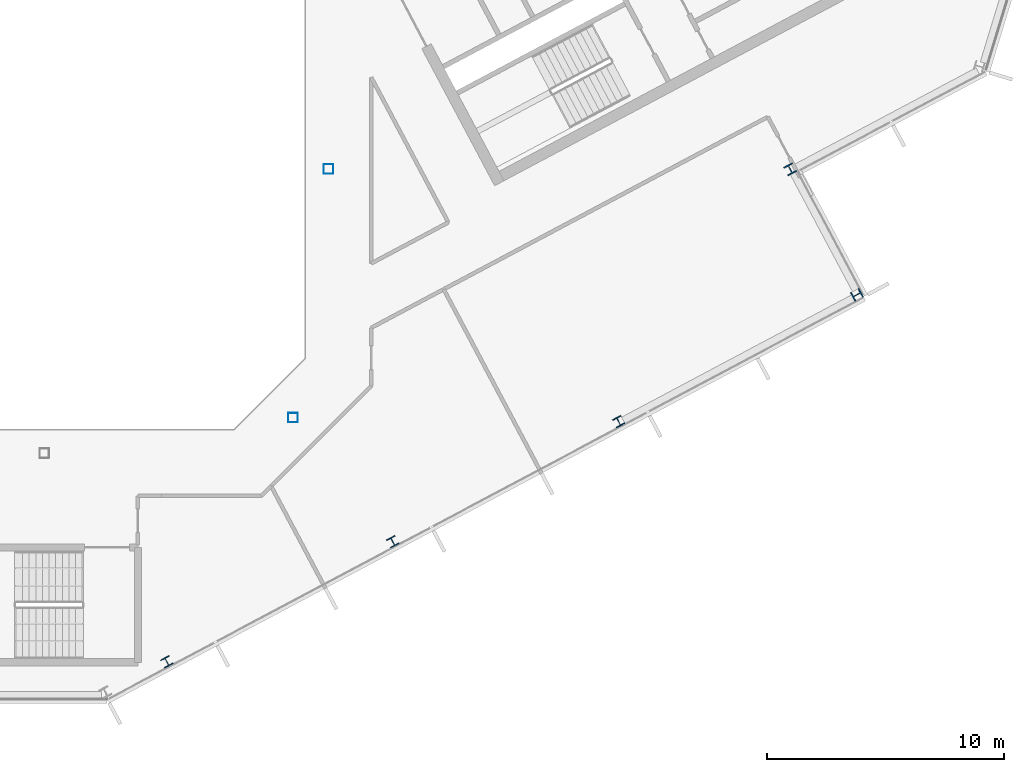
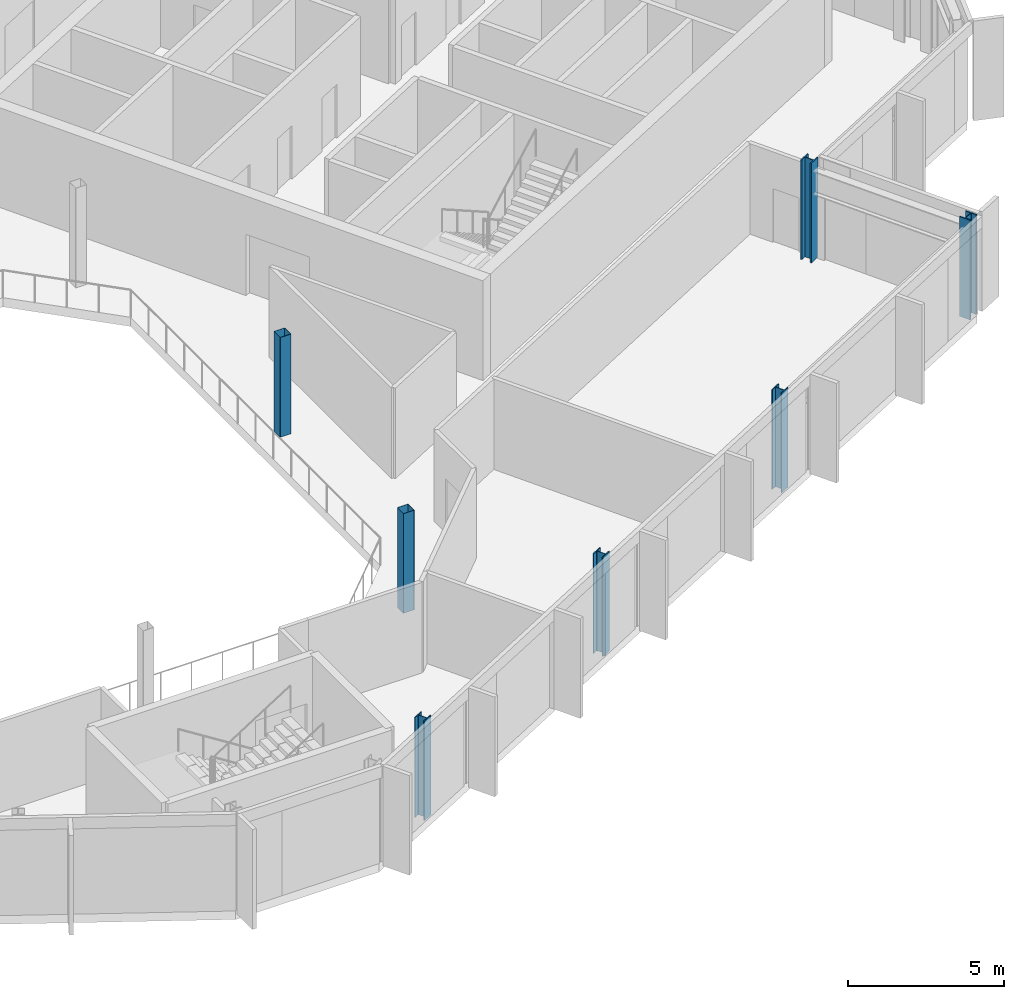
# One storey, part 5 of 26: 7 columns.
"""IFC4 building model written with IfcOpenShell, lengths in metres."""

from ifc_helpers import new_model, si_unit, direction, frame, origin, origin_2d, place, context, subcontext, project, spatial, hollow_rectangle, i_section, extrude, material, material_profile, profile_set, type_object, element, save


model = new_model("IFC4")

# Units and contexts
model_context = context("Model", 3, precision=1e-05, world=origin(), true_north=direction((0.0, 1.0)))
body_context = subcontext(model_context, "Body", "Model", "MODEL_VIEW")
ifc_project = project(units=[si_unit("LENGTHUNIT", "METRE"), si_unit("AREAUNIT", "SQUARE_METRE"), si_unit("VOLUMEUNIT", "CUBIC_METRE"), si_unit("PLANEANGLEUNIT", "RADIAN"), si_unit("MASSUNIT", "GRAM", prefix="KILO")], contexts=[model_context])

# Site, building, storey
site_placement = place(None, origin())
site = spatial("IfcSite", under=ifc_project, at=site_placement, CompositionType="ELEMENT")
building_placement = place(site_placement, origin())
building = spatial("IfcBuilding", under=site, at=building_placement, Name="Cormorant Relay Tower", CompositionType="ELEMENT")
storey_placement = place(building_placement, frame((0.0, 0.0, 304.800048828125)))
storey = spatial("IfcBuildingStorey", under=building, at=storey_placement, Name="L69", CompositionType="ELEMENT", Elevation=304.800048828125)

# Columns
ifc_material_1 = material(Name="Steel ASTM A500 Grade C (Fy 345 MPa)", Category="steel")
ifc_material_profile_1 = material_profile(ifc_material_1, hollow_rectangle(XDim=0.406494140625, YDim=0.406494140625, WallThickness=0.0087890625, InnerFilletRadius=0.00439453125, OuterFilletRadius=0.01318359375, at=origin_2d()), Name="HSS406x406x9")
ifc_profile_set_1 = profile_set([ifc_material_profile_1], Name="Steel ASTM A500 Grade C (Fy 345 MPa)")
column_type_1 = type_object("IfcColumnType", Name="Column HSS406x406x9", PredefinedType="COLUMN", material=ifc_profile_set_1)
for number, where, z_axis, x_axis, name in (
    (1, (10.5, -10.5, 0.0), (0.0, 0.0, 1.0), (1.0, 0.0, 0.0), "Column L69-010"),
    (2, (12.0, 0.0, 0.0), (0.0, 0.0, 1.0), (1.0, 0.0, 0.0), "Column L69-016"),
):
    element("IfcColumn", number, at=place(storey_placement, frame(where, z_axis=z_axis, x_axis=x_axis)), inside=storey, type_object=column_type_1, Name=name, PredefinedType="COLUMN", context=body_context, shape_type="SweptSolid", body=[
        extrude(hollow_rectangle(XDim=0.406494140625, YDim=0.406494140625, WallThickness=0.0087890625, InnerFilletRadius=0.00439453125, OuterFilletRadius=0.01318359375, at=origin_2d()), origin(), (0.0, 0.0, 1.0), 3.89990234375),
    ])
ifc_material_2 = material(Name="Steel ASTM A992 (Fy 345 MPa)", Category="steel")
ifc_material_profile_2 = material_profile(ifc_material_2, i_section(OverallWidth=0.398681640625, OverallDepth=0.385986328125, WebThickness=0.02099609375, FlangeThickness=0.033203125, FilletRadius=0.01513671875, at=origin_2d()), Name="W360x262")
ifc_profile_set_2 = profile_set([ifc_material_profile_2], Name="Steel ASTM A992 (Fy 345 MPa)")
column_type_2 = type_object("IfcColumnType", Name="Column W360x262", PredefinedType="COLUMN", material=ifc_profile_set_2)
for number, where, z_axis, x_axis, name in (
    (3, (5.174072265625, -20.806884765625, 0.0), (0.0, 0.0, 1.0), (0.882947592859, 0.469471562786, 0.0), "Column L69-003"),
    (4, (14.7099609375, -15.736083984375, 0.0), (0.0, 0.0, 1.0), (0.882947592859, 0.469471562786, 0.0), "Column L69-005"),
    (5, (24.2451171875, -10.666015625, 0.0), (0.0, 0.0, 1.0), (0.882947592859, 0.469471562786, 0.0), "Column L69-008"),
):
    element("IfcColumn", number, at=place(storey_placement, frame(where, z_axis=z_axis, x_axis=x_axis)), inside=storey, type_object=column_type_2, Name=name, PredefinedType="COLUMN", context=body_context, shape_type="SweptSolid", body=[
        extrude(i_section(OverallWidth=0.398681640625, OverallDepth=0.385986328125, WebThickness=0.02099609375, FlangeThickness=0.033203125, FilletRadius=0.01513671875, at=origin_2d()), origin(), (0.0, 0.0, 1.0), 3.89990234375),
    ])
ifc_material_3 = material(Name="Steel ASTM A992 (Fy 345 MPa)", Category="steel")
ifc_material_profile_3 = material_profile(ifc_material_3, i_section(OverallWidth=0.40380859375, OverallDepth=0.406494140625, WebThickness=0.027099609375, FlangeThickness=0.043701171875, FilletRadius=0.01513671875, at=origin_2d()), Name="W360x347")
ifc_profile_set_3 = profile_set([ifc_material_profile_3], Name="Steel ASTM A992 (Fy 345 MPa)")
column_type_3 = type_object("IfcColumnType", Name="Column W360x347", PredefinedType="COLUMN", material=ifc_profile_set_3)
for number, where, z_axis, x_axis, name in (
    (6, (34.303955078125, -5.31201171875, 0.0), (0.0, 0.0, 1.0), (-0.469471562786, 0.882947592859, 0.0), "Column L69-012"),
    (7, (31.487060546875, -0.013916015625, 0.0), (0.0, 0.0, 1.0), (0.882947592859, 0.469471562786, 0.0), "Column L69-014"),
):
    element("IfcColumn", number, at=place(storey_placement, frame(where, z_axis=z_axis, x_axis=x_axis)), inside=storey, type_object=column_type_3, Name=name, PredefinedType="COLUMN", context=body_context, shape_type="SweptSolid", body=[
        extrude(i_section(OverallWidth=0.40380859375, OverallDepth=0.406494140625, WebThickness=0.027099609375, FlangeThickness=0.043701171875, FilletRadius=0.01513671875, at=origin_2d()), origin(), (0.0, 0.0, 1.0), 3.89990234375),
    ])

save(model, "model.ifc")
